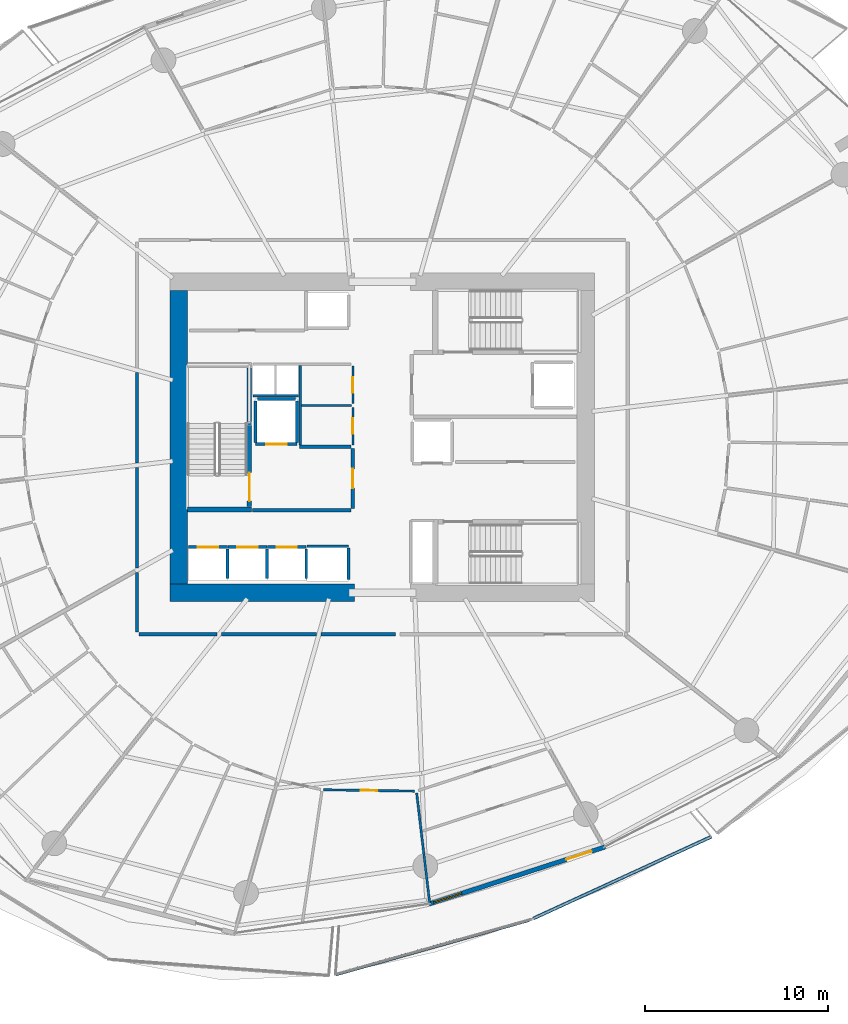
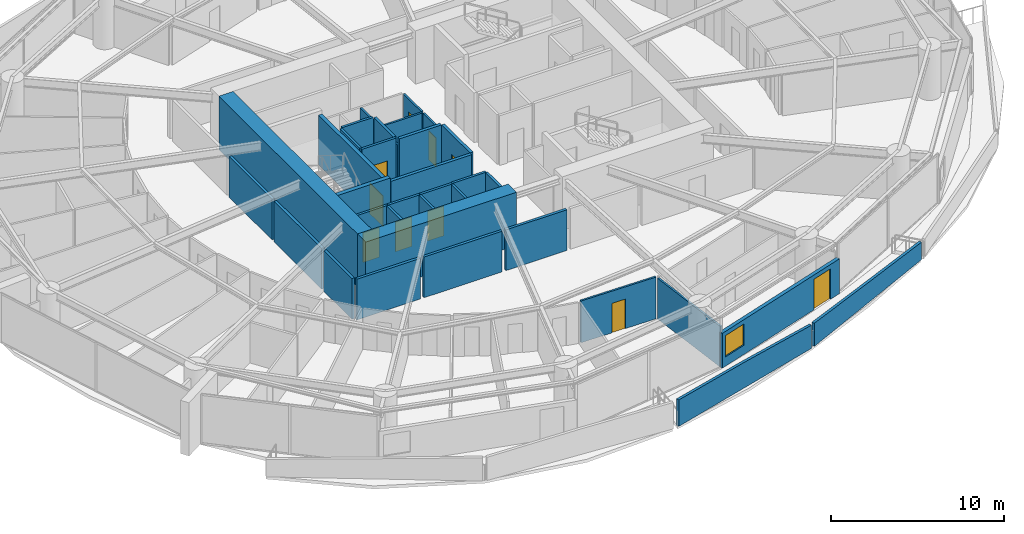
# One storey, part 20 of 31: 35 walls, 10 doors, 1 window, 11 openings.
"""IFC4 building model written with IfcOpenShell, lengths in metres."""

from ifc_helpers import new_model, si_unit, direction, frame, frame_2d, origin, place, context, subcontext, project, spatial, polyline, rectangle, outline, extrude, material, layer, layer_set, type_object, element, fill, save


model = new_model("IFC4")

# Units and contexts
model_context = context("Model", 3, precision=1e-05, world=origin(), true_north=direction((0.0, 1.0)))
body_context = subcontext(model_context, "Body", "Model", "MODEL_VIEW")
ifc_project = project(units=[si_unit("LENGTHUNIT", "METRE"), si_unit("AREAUNIT", "SQUARE_METRE"), si_unit("VOLUMEUNIT", "CUBIC_METRE"), si_unit("PLANEANGLEUNIT", "RADIAN"), si_unit("MASSUNIT", "GRAM", prefix="KILO")], contexts=[model_context])

# Site, building, storey
site_placement = place(None, origin())
site = spatial("IfcSite", under=ifc_project, at=site_placement, CompositionType="ELEMENT")
building_placement = place(site_placement, origin())
building = spatial("IfcBuilding", under=site, at=building_placement, Name="Kazma Halo Residences", CompositionType="ELEMENT")
storey_placement = place(building_placement, frame((0.0, 0.0, 48.89990234375)))
storey = spatial("IfcBuildingStorey", under=building, at=storey_placement, Name="L11", CompositionType="ELEMENT", Elevation=48.89990234375)

# Walls
ifc_material_1 = material(Name="White Concrete C50/60 Balustrade", Category="concrete")
ifc_layer_1 = layer(ifc_material_1, 0.179931640625)
ifc_layer_set_1 = layer_set([ifc_layer_1], Name="White Concrete C50/60 Balustrade")
wall_type_1 = type_object("IfcWallType", Name="WL-BAL-WAVE-180", PredefinedType="PARAPET", material=ifc_layer_set_1)
wall_1_placement = place(storey_placement, frame((45.874267578125, 12.701416015625, 0.0), z_axis=(0.0, 0.0, 1.0), x_axis=(0.962607038131, 0.270901624471, 0.0)))
element("IfcWall", 1, at=wall_1_placement, inside=storey, type_object=wall_type_1, Name="L11 white wave balustrade wall SSE.1", PredefinedType="PARAPET", context=body_context, shape_type="SweptSolid", body=[
    extrude(outline(polyline([(0.0, 0.0), (10.964111328125, 0.0), (10.96435546875, 1.632080078125), (5.482177734375, 1.798095703125), (0.0, 1.860107421875), (0.0, 0.0)])), frame((0.0, 0.08984375, 0.0), z_axis=(0.0, -1.0, 0.0), x_axis=(1.0, 0.0, 0.0)), (0.0, 0.0, 1.0), 0.179931640625),
])
wall_2_placement = place(storey_placement, frame((56.653076171875, 15.75439453125, 0.0), z_axis=(0.0, 0.0, 1.0), x_axis=(0.908702116292, 0.417445162681, 0.0)))
element("IfcWall", 2, at=wall_2_placement, inside=storey, type_object=wall_type_1, Name="L11 white wave balustrade wall SSE.2", PredefinedType="PARAPET", context=body_context, shape_type="SweptSolid", body=[
    extrude(outline(polyline([(0.0, 0.0), (10.69677734375, 0.0), (10.697021484375, 1.233154296875), (5.348388671875, 1.418212890625), (0.0, 1.632080078125), (0.0, 0.0)])), frame((0.0, 0.08984375, 0.0), z_axis=(0.0, -1.0, 0.0), x_axis=(1.0, 0.0, 0.0)), (0.0, 0.0, 1.0), 0.179931640625),
])
ifc_material_2 = material(Name="Concrete C80/95", Category="concrete")
ifc_layer_2 = layer(ifc_material_2, 0.949951171875)
ifc_layer_set_2 = layer_set([ifc_layer_2], Name="Concrete C80/95")
wall_type_2 = type_object("IfcWallType", Name="WL-CORE-950", PredefinedType="SHEAR", material=ifc_layer_set_2)
wall_3_placement = place(storey_placement, frame((36.85009765625, 33.52490234375, 0.0), z_axis=(0.0, 0.0, 1.0), x_axis=(1.0, 0.0, 0.0)))
element("IfcWall", 3, at=wall_3_placement, inside=storey, type_object=wall_type_2, Name="L11 central core shear wall SW", PredefinedType="SHEAR", context=body_context, shape_type="SweptSolid", body=[
    extrude(rectangle(XDim=10.0498046875, YDim=0.949951171875, at=frame_2d((5.02490234375, 0.0))), origin(), (0.0, 0.0, 1.0), 3.75),
])
wall_4_placement = place(storey_placement, frame((37.324951171875, 34.0, 0.0), z_axis=(0.0, 0.0, 1.0), x_axis=(0.0, 1.0, 0.0)))
element("IfcWall", 4, at=wall_4_placement, inside=storey, type_object=wall_type_2, Name="L11 central core shear wall W", PredefinedType="SHEAR", context=body_context, shape_type="SweptSolid", body=[
    extrude(rectangle(XDim=16.0, YDim=0.949951171875, at=frame_2d((8.0, 0.0))), origin(), (0.0, 0.0, 1.0), 3.75),
])
ifc_material_3 = material(Name="Concrete C60/75", Category="concrete")
ifc_layer_3 = layer(ifc_material_3, 0.280029296875)
ifc_layer_set_3 = layer_set([ifc_layer_3], Name="Concrete C60/75")
wall_type_3 = type_object("IfcWallType", Name="WL-CORE-ST-280", PredefinedType="SHEAR", material=ifc_layer_set_3)
wall_5_placement = place(storey_placement, frame((37.800048828125, 38.06005859375, 0.0), z_axis=(0.0, 0.0, 1.0), x_axis=(1.0, 0.0, 0.0)))
element("IfcWall", 5, at=wall_5_placement, inside=storey, type_object=wall_type_3, Name="L11 stairwell bearing wall ST01-S", PredefinedType="SHEAR", context=body_context, shape_type="SweptSolid", body=[
    extrude(rectangle(XDim=3.5, YDim=0.280029296875, at=frame_2d((1.75, 0.0))), origin(), (0.0, 0.0, 1.0), 3.75),
])
ifc_material_4 = material(Name="Acoustic Twin-Stud Gypsum")
ifc_layer_4 = layer(ifc_material_4, 0.179931640625)
ifc_layer_set_4 = layer_set([ifc_layer_4], Name="Acoustic Twin-Stud Gypsum")
wall_type_4 = type_object("IfcWallType", Name="WL-DEM-180", PredefinedType="PARTITIONING", material=ifc_layer_set_4)
wall_6_placement = place(storey_placement, frame((35.050048828125, 45.5322265625, 0.0), z_axis=(0.0, 0.0, 1.0), x_axis=(0.0, -1.0, 0.0)))
element("IfcWall", 6, at=wall_6_placement, inside=storey, type_object=wall_type_4, Name="L11 Apartment 1 inner wall 6", PredefinedType="PARTITIONING", context=body_context, shape_type="SweptSolid", body=[
    extrude(rectangle(XDim=4.94482421875, YDim=0.179931640625, at=frame_2d((2.472412109375, 0.0))), origin(), (0.0, 0.0, 1.0), 2.8671875),
])
wall_7_placement = place(storey_placement, frame((35.050048828125, 40.347412109375, 0.0), z_axis=(0.0, 0.0, 1.0), x_axis=(0.0, -1.0, 0.0)))
element("IfcWall", 7, at=wall_7_placement, inside=storey, type_object=wall_type_4, Name="L11 Apartment 1 inner wall 7", PredefinedType="PARTITIONING", context=body_context, shape_type="SweptSolid", body=[
    extrude(rectangle(XDim=5.479736328125, YDim=0.179931640625, at=frame_2d((2.73974609375, 0.0))), origin(), (0.0, 0.0, 1.0), 2.8671875),
])
wall_8_placement = place(storey_placement, frame((35.050048828125, 34.627685546875, 0.0), z_axis=(0.0, 0.0, 1.0), x_axis=(0.0, -1.0, 0.0)))
element("IfcWall", 8, at=wall_8_placement, inside=storey, type_object=wall_type_4, Name="L11 Apartment 2 inner wall 8", PredefinedType="PARTITIONING", context=body_context, shape_type="SweptSolid", body=[
    extrude(rectangle(XDim=3.257568359375, YDim=0.179931640625, at=frame_2d((1.62890625, 0.0))), origin(), (0.0, 0.0, 1.0), 2.8671875),
])
wall_9_placement = place(storey_placement, frame((35.169921875, 31.25, 0.0), z_axis=(0.0, 0.0, 1.0), x_axis=(1.0, 0.0, 0.0)))
element("IfcWall", 9, at=wall_9_placement, inside=storey, type_object=wall_type_4, Name="L11 Apartment 2 inner wall 8", PredefinedType="PARTITIONING", context=body_context, shape_type="SweptSolid", body=[
    extrude(rectangle(XDim=4.235595703125, YDim=0.179931640625, at=frame_2d((2.11767578125, 0.0))), origin(), (0.0, 0.0, 1.0), 2.8671875),
])
wall_10_placement = place(storey_placement, frame((39.6455078125, 31.25, 0.0), z_axis=(0.0, 0.0, 1.0), x_axis=(1.0, 0.0, 0.0)))
element("IfcWall", 10, at=wall_10_placement, inside=storey, type_object=wall_type_4, Name="L11 Apartment 2 inner wall 9", PredefinedType="PARTITIONING", context=body_context, shape_type="SweptSolid", body=[
    extrude(rectangle(XDim=5.20263671875, YDim=0.179931640625, at=frame_2d((2.601318359375, 0.0))), origin(), (0.0, 0.0, 1.0), 2.8671875),
])
wall_11_placement = place(storey_placement, frame((45.088134765625, 31.25, 0.0), z_axis=(0.0, 0.0, 1.0), x_axis=(1.0, 0.0, 0.0)))
element("IfcWall", 11, at=wall_11_placement, inside=storey, type_object=wall_type_4, Name="L11 Apartment 2 inner wall 10", PredefinedType="PARTITIONING", context=body_context, shape_type="SweptSolid", body=[
    extrude(rectangle(XDim=4.064208984375, YDim=0.179931640625, at=frame_2d((2.0322265625, 0.0))), origin(), (0.0, 0.0, 1.0), 2.8671875),
])

# Wall, openings, door, window
ifc_material_5 = material(Name="Insulated Pale-Metal Composite Wall")
ifc_layer_5 = layer(ifc_material_5, 0.239990234375)
ifc_layer_set_5 = layer_set([ifc_layer_5], Name="Insulated Pale-Metal Composite Wall")
wall_type_5 = type_object("IfcWallType", Name="WL-EXT-HOST-240", PredefinedType="SOLIDWALL", material=ifc_layer_set_5)
wall_12_placement = place(storey_placement, frame((50.9638671875, 16.54150390625, 0.0), z_axis=(0.0, 0.0, 1.0), x_axis=(0.951054679225, 0.309022648238, 0.0)))
wall_12 = element("IfcWall", 12, at=wall_12_placement, inside=storey, type_object=wall_type_5, Name="L11 exterior terrace-access wall B12", PredefinedType="SOLIDWALL", context=body_context, shape_type="SweptSolid", body=[
    extrude(rectangle(XDim=10.0966796875, YDim=0.239990234375, at=frame_2d((5.04833984375, 0.0))), origin(), (0.0, 0.0, 1.0), 2.4501953125),
])
opening_1_placement = place(wall_12_placement, frame((7.876708984375, 0.0, 0.0)))
opening_1 = element("IfcOpeningElement", 13, at=opening_1_placement, cuts=wall_12, Name="Opening DTR-1600", PredefinedType="OPENING", context=body_context, shape_type="SweptSolid", body=[
    extrude(rectangle(XDim=1.449951171875, YDim=2.14990234375, at=frame_2d((0.72509765625, 1.074951171875))), frame((0.0, 0.1298828125, 0.0), z_axis=(0.0, -1.0, 0.0), x_axis=(1.0, 0.0, 0.0)), (0.0, 0.0, 1.0), 0.260009765625),
])
opening_2_placement = place(wall_12_placement, frame((0.280029296875, 0.0, 0.64990234375)))
opening_2 = element("IfcOpeningElement", 14, at=opening_2_placement, cuts=wall_12, Name="Opening W-1800", PredefinedType="OPENING", context=body_context, shape_type="SweptSolid", body=[
    extrude(rectangle(XDim=1.60009765625, YDim=1.5, at=frame_2d((0.800048828125, 0.75))), frame((0.0, 0.1298828125, 0.0), z_axis=(0.0, -1.0, 0.0), x_axis=(1.0, 0.0, 0.0)), (0.0, 0.0, 1.0), 0.260009765625),
])
ifc_material_6 = material(Name="Aluminium AW-6063 T6 Double-Glazed Terrace Door", Category="aluminium")
door_type_1 = type_object("IfcDoorType", Name="DR-EXT-TERR-1600", OperationType="NOTDEFINED", PredefinedType="DOOR", material=ifc_material_6)
door_1_placement = place(opening_1_placement, origin())
door_1 = element("IfcDoor", 15, at=door_1_placement, inside=storey, type_object=door_type_1, Name="L11 B12 balcony terrace door", OperationType="DOUBLE_DOOR_SLIDING", OverallHeight=2.14990234375, OverallWidth=1.449951171875, PredefinedType="DOOR", context=body_context, shape_type="SweptSolid", body=[
    extrude(rectangle(XDim=1.449951171875, YDim=2.14990234375, at=frame_2d((0.72509765625, 1.074951171875))), frame((0.0, 0.02490234375, 0.0), z_axis=(0.0, -1.0, 0.0), x_axis=(1.0, 0.0, 0.0)), (0.0, 0.0, 1.0), 0.050048828125),
])
fill(opening_1, door_1)
ifc_material_7 = material(Name="Clear Triple-Silver Low-E Glass in Aluminium AW-6063 T6 Frame", Category="aluminium")
window_type = type_object("IfcWindowType", Name="WIN-RES-1800", PartitioningType="DOUBLE_PANEL_VERTICAL", PredefinedType="WINDOW", material=ifc_material_7)
window_placement = place(opening_2_placement, origin())
window = element("IfcWindow", 16, at=window_placement, inside=storey, type_object=window_type, Name="L11 B12 apartment window", OverallHeight=1.5, OverallWidth=1.60009765625, PartitioningType="SINGLE_PANEL", PredefinedType="WINDOW", context=body_context, shape_type="SweptSolid", body=[
    extrude(rectangle(XDim=1.60009765625, YDim=1.5, at=frame_2d((0.800048828125, 0.75))), frame((0.0, 0.030029296875, 0.0), z_axis=(0.0, -1.0, 0.0), x_axis=(1.0, 0.0, 0.0)), (0.0, 0.0, 1.0), 0.06005859375),
])
fill(opening_2, window)

# Wall, opening, door
ifc_material_8 = material(Name="Fire-Rated Blockwork Masonry", Category="masonry")
ifc_layer_6 = layer(ifc_material_8, 0.199951171875)
ifc_layer_set_6 = layer_set([ifc_layer_6], Name="Fire-Rated Blockwork Masonry")
wall_type_6 = type_object("IfcWallType", Name="WL-FLB-200", PredefinedType="PARTITIONING", material=ifc_layer_set_6)
wall_13_placement = place(storey_placement, frame((37.864990234375, 36.0048828125, 0.0), z_axis=(0.0, 0.0, 1.0), x_axis=(1.0, 0.0, 0.0)))
wall_13 = element("IfcWall", 17, at=wall_13_placement, inside=storey, type_object=wall_type_6, Name="L11 lift shaft PL-01 front wall", PredefinedType="PARTITIONING", context=body_context, shape_type="SweptSolid", body=[
    extrude(rectangle(XDim=2.110107421875, YDim=0.159912109375, at=frame_2d((1.05517578125, 0.0))), origin(), (0.0, 0.0, 1.0), 3.5),
])
opening_3_placement = place(wall_13_placement, frame((0.5048828125, 0.0, 0.0)))
opening_3 = element("IfcOpeningElement", 18, at=opening_3_placement, cuts=wall_13, Name="Opening LD-PL-01", PredefinedType="OPENING", context=body_context, shape_type="SweptSolid", body=[
    extrude(rectangle(XDim=1.10009765625, YDim=2.10009765625, at=frame_2d((0.550048828125, 1.050048828125))), frame((0.0, 0.08984375, 0.0), z_axis=(0.0, -1.0, 0.0), x_axis=(1.0, 0.0, 0.0)), (0.0, 0.0, 1.0), 0.179931640625),
])
ifc_material_9 = material(Name="Stainless Steel Fire-Rated", Category="steel")
door_type_2 = type_object("IfcDoorType", Name="DR-LIFT-SLD-1100", OperationType="DOUBLE_DOOR_SLIDING", PredefinedType="DOOR", material=ifc_material_9)
door_2_placement = place(opening_3_placement, origin())
door_2 = element("IfcDoor", 19, at=door_2_placement, inside=storey, type_object=door_type_2, Name="L11 lift PL-01 sliding landing door", OperationType="DOUBLE_DOOR_SLIDING", OverallHeight=2.10009765625, OverallWidth=1.10009765625, PredefinedType="DOOR", context=body_context, shape_type="SweptSolid", body=[
    extrude(rectangle(XDim=1.10009765625, YDim=2.10009765625, at=frame_2d((0.550048828125, 1.050048828125))), frame((0.0, 0.02490234375, 0.0), z_axis=(0.0, -1.0, 0.0), x_axis=(1.0, 0.0, 0.0)), (0.0, 0.0, 1.0), 0.050048828125),
])
fill(opening_3, door_2)

# Wall
wall_14_placement = place(storey_placement, frame((39.97509765625, 34.294921875, 0.0), z_axis=(0.0, 0.0, 1.0), x_axis=(0.0, 1.0, 0.0)))
element("IfcWall", 20, at=wall_14_placement, inside=storey, type_object=wall_type_6, Name="L11 lift shaft PL-01 side wall E", PredefinedType="PARTITIONING", context=body_context, shape_type="SweptSolid", body=[
    extrude(rectangle(XDim=1.610107421875, YDim=0.159912109375, at=frame_2d((0.80517578125, 0.0))), origin(), (0.0, 0.0, 1.0), 3.5),
])

# Wall, opening, door
wall_15_placement = place(storey_placement, frame((40.014892578125, 36.0048828125, 0.0), z_axis=(0.0, 0.0, 1.0), x_axis=(1.0, 0.0, 0.0)))
wall_15 = element("IfcWall", 21, at=wall_15_placement, inside=storey, type_object=wall_type_6, Name="L11 lift shaft PL-02 front wall", PredefinedType="PARTITIONING", context=body_context, shape_type="SweptSolid", body=[
    extrude(rectangle(XDim=2.110107421875, YDim=0.159912109375, at=frame_2d((1.05517578125, 0.0))), origin(), (0.0, 0.0, 1.0), 3.5),
])
opening_4_placement = place(wall_15_placement, frame((0.5048828125, 0.0, 0.0)))
opening_4 = element("IfcOpeningElement", 22, at=opening_4_placement, cuts=wall_15, Name="Opening LD-PL-02", PredefinedType="OPENING", context=body_context, shape_type="SweptSolid", body=[
    extrude(rectangle(XDim=1.10009765625, YDim=2.10009765625, at=frame_2d((0.550048828125, 1.050048828125))), frame((0.0, 0.08984375, 0.0), z_axis=(0.0, -1.0, 0.0), x_axis=(1.0, 0.0, 0.0)), (0.0, 0.0, 1.0), 0.179931640625),
])
door_3_placement = place(opening_4_placement, origin())
door_3 = element("IfcDoor", 23, at=door_3_placement, inside=storey, type_object=door_type_2, Name="L11 lift PL-02 sliding landing door", OperationType="DOUBLE_DOOR_SLIDING", OverallHeight=2.10009765625, OverallWidth=1.10009765625, PredefinedType="DOOR", context=body_context, shape_type="SweptSolid", body=[
    extrude(rectangle(XDim=1.10009765625, YDim=2.10009765625, at=frame_2d((0.550048828125, 1.050048828125))), frame((0.0, 0.02490234375, 0.0), z_axis=(0.0, -1.0, 0.0), x_axis=(1.0, 0.0, 0.0)), (0.0, 0.0, 1.0), 0.050048828125),
])
fill(opening_4, door_3)

# Wall
wall_16_placement = place(storey_placement, frame((42.125, 34.294921875, 0.0), z_axis=(0.0, 0.0, 1.0), x_axis=(0.0, 1.0, 0.0)))
element("IfcWall", 24, at=wall_16_placement, inside=storey, type_object=wall_type_6, Name="L11 lift shaft PL-02 side wall E", PredefinedType="PARTITIONING", context=body_context, shape_type="SweptSolid", body=[
    extrude(rectangle(XDim=1.610107421875, YDim=0.159912109375, at=frame_2d((0.80517578125, 0.0))), origin(), (0.0, 0.0, 1.0), 3.5),
])

# Wall, opening, door
wall_17_placement = place(storey_placement, frame((42.1650390625, 36.0048828125, 0.0), z_axis=(0.0, 0.0, 1.0), x_axis=(1.0, 0.0, 0.0)))
wall_17 = element("IfcWall", 25, at=wall_17_placement, inside=storey, type_object=wall_type_6, Name="L11 lift shaft PL-03 front wall", PredefinedType="PARTITIONING", context=body_context, shape_type="SweptSolid", body=[
    extrude(rectangle(XDim=2.10986328125, YDim=0.159912109375, at=frame_2d((1.054931640625, 0.0))), origin(), (0.0, 0.0, 1.0), 3.5),
])
opening_5_placement = place(wall_17_placement, frame((0.5048828125, 0.0, 0.0)))
opening_5 = element("IfcOpeningElement", 26, at=opening_5_placement, cuts=wall_17, Name="Opening LD-PL-03", PredefinedType="OPENING", context=body_context, shape_type="SweptSolid", body=[
    extrude(rectangle(XDim=1.10009765625, YDim=2.10009765625, at=frame_2d((0.550048828125, 1.050048828125))), frame((0.0, 0.08984375, 0.0), z_axis=(0.0, -1.0, 0.0), x_axis=(1.0, 0.0, 0.0)), (0.0, 0.0, 1.0), 0.179931640625),
])
door_4_placement = place(opening_5_placement, origin())
door_4 = element("IfcDoor", 27, at=door_4_placement, inside=storey, type_object=door_type_2, Name="L11 lift PL-03 sliding landing door", OperationType="DOUBLE_DOOR_SLIDING", OverallHeight=2.10009765625, OverallWidth=1.10009765625, PredefinedType="DOOR", context=body_context, shape_type="SweptSolid", body=[
    extrude(rectangle(XDim=1.10009765625, YDim=2.10009765625, at=frame_2d((0.550048828125, 1.050048828125))), frame((0.0, 0.02490234375, 0.0), z_axis=(0.0, -1.0, 0.0), x_axis=(1.0, 0.0, 0.0)), (0.0, 0.0, 1.0), 0.050048828125),
])
fill(opening_5, door_4)

# Walls
wall_18_placement = place(storey_placement, frame((44.27490234375, 34.294921875, 0.0), z_axis=(0.0, 0.0, 1.0), x_axis=(0.0, 1.0, 0.0)))
element("IfcWall", 28, at=wall_18_placement, inside=storey, type_object=wall_type_6, Name="L11 lift shaft PL-03 side wall E", PredefinedType="PARTITIONING", context=body_context, shape_type="SweptSolid", body=[
    extrude(rectangle(XDim=1.610107421875, YDim=0.159912109375, at=frame_2d((0.80517578125, 0.0))), origin(), (0.0, 0.0, 1.0), 3.5),
])
wall_19_placement = place(storey_placement, frame((44.320068359375, 36.054931640625, 0.0), z_axis=(0.0, 0.0, 1.0), x_axis=(1.0, 0.0, 0.0)))
element("IfcWall", 29, at=wall_19_placement, inside=storey, type_object=wall_type_6, Name="L11 lift shaft PX-02 front wall", PredefinedType="PARTITIONING", context=body_context, shape_type="SweptSolid", body=[
    extrude(rectangle(XDim=2.260009765625, YDim=0.159912109375, at=frame_2d((1.1298828125, 0.0))), origin(), (0.0, 0.0, 1.0), 3.5),
])
wall_20_placement = place(storey_placement, frame((46.580078125, 34.2451171875, 0.0), z_axis=(0.0, 0.0, 1.0), x_axis=(0.0, 1.0, 0.0)))
element("IfcWall", 30, at=wall_20_placement, inside=storey, type_object=wall_type_6, Name="L11 lift shaft PX-02 side wall E", PredefinedType="PARTITIONING", context=body_context, shape_type="SweptSolid", body=[
    extrude(rectangle(XDim=1.7099609375, YDim=0.159912109375, at=frame_2d((0.85498046875, 0.0))), origin(), (0.0, 0.0, 1.0), 3.5),
])

# Wall, opening, door
wall_21_placement = place(storey_placement, frame((43.780029296875, 41.6201171875, 0.0), z_axis=(0.0, 0.0, 1.0), x_axis=(-1.0, 0.0, 0.0)))
wall_21 = element("IfcWall", 31, at=wall_21_placement, inside=storey, type_object=wall_type_6, Name="L11 lift shaft FL-01 front wall", PredefinedType="PARTITIONING", context=body_context, shape_type="SweptSolid", body=[
    extrude(rectangle(XDim=2.260009765625, YDim=0.159912109375, at=frame_2d((1.1298828125, 0.0))), origin(), (0.0, 0.0, 1.0), 3.5),
])
opening_6_placement = place(wall_21_placement, frame((0.580078125, 0.0, 0.0)))
opening_6 = element("IfcOpeningElement", 32, at=opening_6_placement, cuts=wall_21, Name="Opening LD-FL-01", PredefinedType="OPENING", context=body_context, shape_type="SweptSolid", body=[
    extrude(rectangle(XDim=1.10009765625, YDim=2.10009765625, at=frame_2d((0.550048828125, 1.050048828125))), frame((0.0, 0.08984375, 0.0), z_axis=(0.0, -1.0, 0.0), x_axis=(1.0, 0.0, 0.0)), (0.0, 0.0, 1.0), 0.179931640625),
])
door_5_placement = place(opening_6_placement, origin())
door_5 = element("IfcDoor", 33, at=door_5_placement, inside=storey, type_object=door_type_2, Name="L11 lift FL-01 sliding landing door", OperationType="DOUBLE_DOOR_SLIDING", OverallHeight=2.10009765625, OverallWidth=1.10009765625, PredefinedType="DOOR", context=body_context, shape_type="SweptSolid", body=[
    extrude(rectangle(XDim=1.10009765625, YDim=2.10009765625, at=frame_2d((0.550048828125, 1.050048828125))), frame((0.0, 0.02490234375, 0.0), z_axis=(0.0, -1.0, 0.0), x_axis=(1.0, 0.0, 0.0)), (0.0, 0.0, 1.0), 0.050048828125),
])
fill(opening_6, door_5)

# Walls
for number, where, z_axis, x_axis, name in (
    (34, (43.780029296875, 41.719970703125, 0.0), (0.0, 0.0, 1.0), (0.0, 1.0, 0.0), "L11 lift shaft FL-01 side wall E"),
    (35, (41.52001953125, 41.719970703125, 0.0), (0.0, 0.0, 1.0), (0.0, 1.0, 0.0), "L11 lift shaft FL-01 side wall W"),
):
    element("IfcWall", number, at=place(storey_placement, frame(where, z_axis=z_axis, x_axis=x_axis)), inside=storey, type_object=wall_type_6, Name=name, PredefinedType="PARTITIONING", context=body_context, shape_type="SweptSolid", body=[
        extrude(rectangle(XDim=2.260009765625, YDim=0.159912109375, at=frame_2d((1.1298828125, 0.0))), origin(), (0.0, 0.0, 1.0), 3.5),
    ])
wall_22_placement = place(storey_placement, frame((41.6201171875, 44.080078125, 0.0), z_axis=(0.0, 0.0, 1.0), x_axis=(1.0, 0.0, 0.0)))
element("IfcWall", 36, at=wall_22_placement, inside=storey, type_object=wall_type_6, Name="L11 lift shaft FL-01 side wall N", PredefinedType="PARTITIONING", context=body_context, shape_type="SweptSolid", body=[
    extrude(rectangle(XDim=2.059814453125, YDim=0.159912109375, at=frame_2d((1.02978515625, 0.0))), origin(), (0.0, 0.0, 1.0), 3.5),
])
wall_23_placement = place(storey_placement, frame((41.35009765625, 38.02001953125, 0.0), z_axis=(0.0, 0.0, 1.0), x_axis=(1.0, 0.0, 0.0)))
element("IfcWall", 37, at=wall_23_placement, inside=storey, type_object=wall_type_6, Name="L11 west firefighting lobby south smoke wall", PredefinedType="PARTITIONING", context=body_context, shape_type="SweptSolid", body=[
    extrude(rectangle(XDim=5.369873046875, YDim=0.199951171875, at=frame_2d((2.68505859375, 0.0))), origin(), (0.0, 0.0, 1.0), 3.5),
])
wall_24_placement = place(storey_placement, frame((43.919921875, 41.47998046875, 0.0), z_axis=(0.0, 0.0, 1.0), x_axis=(1.0, 0.0, 0.0)))
element("IfcWall", 38, at=wall_24_placement, inside=storey, type_object=wall_type_6, Name="L11 west firefighting lobby north smoke wall", PredefinedType="PARTITIONING", context=body_context, shape_type="SweptSolid", body=[
    extrude(rectangle(XDim=2.800048828125, YDim=0.199951171875, at=frame_2d((1.39990234375, 0.0))), origin(), (0.0, 0.0, 1.0), 3.5),
])

# Wall, opening, door
wall_25_placement = place(storey_placement, frame((46.820068359375, 38.1201171875, 0.0), z_axis=(0.0, 0.0, 1.0), x_axis=(0.0, 1.0, 0.0)))
wall_25 = element("IfcWall", 39, at=wall_25_placement, inside=storey, type_object=wall_type_6, Name="L11 west firefighting lobby smoke wall", PredefinedType="PARTITIONING", context=body_context, shape_type="SweptSolid", body=[
    extrude(rectangle(XDim=3.259765625, YDim=0.199951171875, at=frame_2d((1.6298828125, 0.0))), origin(), (0.0, 0.0, 1.0), 3.5),
])
opening_7_placement = place(wall_25_placement, frame((1.10498046875, 0.0, 0.0)))
opening_7 = element("IfcOpeningElement", 40, at=opening_7_placement, cuts=wall_25, Name="Opening D-FLW", PredefinedType="OPENING", context=body_context, shape_type="SweptSolid", body=[
    extrude(rectangle(XDim=1.050048828125, YDim=2.10009765625, at=frame_2d((0.52490234375, 1.050048828125))), frame((0.0, 0.10986328125, 0.0), z_axis=(0.0, -1.0, 0.0), x_axis=(1.0, 0.0, 0.0)), (0.0, 0.0, 1.0), 0.219970703125),
])
ifc_material_10 = material(Name="Fire-Rated Steel Leaf", Category="steel")
door_type_3 = type_object("IfcDoorType", Name="DR-FD90-1050", OperationType="NOTDEFINED", PredefinedType="DOOR", material=ifc_material_10)
door_6_placement = place(opening_7_placement, origin())
door_6 = element("IfcDoor", 41, at=door_6_placement, inside=storey, type_object=door_type_3, Name="L11 west firefighting lobby smoke door", OperationType="SINGLE_SWING_RIGHT", OverallHeight=2.10009765625, OverallWidth=1.050048828125, PredefinedType="DOOR", context=body_context, shape_type="SweptSolid", body=[
    extrude(rectangle(XDim=1.050048828125, YDim=2.10009765625, at=frame_2d((0.52490234375, 1.050048828125))), frame((0.0, 0.02490234375, 0.0), z_axis=(0.0, -1.0, 0.0), x_axis=(1.0, 0.0, 0.0)), (0.0, 0.0, 1.0), 0.050048828125),
])
fill(opening_7, door_6)

# Walls
ifc_material_11 = material(Name="Gypsum Plasterboard Partition")
ifc_layer_7 = layer(ifc_material_11, 0.125)
ifc_layer_set_7 = layer_set([ifc_layer_7], Name="Gypsum Plasterboard Partition")
wall_type_7 = type_object("IfcWallType", Name="WL-PART-125", PredefinedType="PARTITIONING", material=ifc_layer_set_7)
wall_26_placement = place(storey_placement, frame((41.360107421875, 44.260009765625, 0.0), z_axis=(0.0, 0.0, 1.0), x_axis=(1.0, 0.0, 0.0)))
element("IfcWall", 42, at=wall_26_placement, inside=storey, type_object=wall_type_7, Name="L11 core riser south wall", PredefinedType="PARTITIONING", context=body_context, shape_type="SweptSolid", body=[
    extrude(rectangle(XDim=2.5, YDim=0.125, at=frame_2d((1.25, 0.0))), origin(), (0.0, 0.0, 1.0), 2.940185546875),
])
wall_27_placement = place(storey_placement, frame((43.949951171875, 41.580078125, 0.0), z_axis=(0.0, 0.0, 1.0), x_axis=(0.0, 1.0, 0.0)))
element("IfcWall", 43, at=wall_27_placement, inside=storey, type_object=wall_type_7, Name="L11 core service west wall", PredefinedType="PARTITIONING", context=body_context, shape_type="SweptSolid", body=[
    extrude(rectangle(XDim=4.31982421875, YDim=0.125, at=frame_2d((2.159912109375, 0.0))), origin(), (0.0, 0.0, 1.0), 2.940185546875),
])
wall_28_placement = place(storey_placement, frame((44.030029296875, 43.72998046875, 0.0), z_axis=(0.0, 0.0, 1.0), x_axis=(1.0, 0.0, 0.0)))
element("IfcWall", 44, at=wall_28_placement, inside=storey, type_object=wall_type_7, Name="L11 switch/IDF divider", PredefinedType="PARTITIONING", context=body_context, shape_type="SweptSolid", body=[
    extrude(rectangle(XDim=2.7099609375, YDim=0.125, at=frame_2d((1.35498046875, 0.0))), origin(), (0.0, 0.0, 1.0), 2.940185546875),
])

# Wall, opening, door
wall_29_placement = place(storey_placement, frame((46.820068359375, 41.580078125, 0.0), z_axis=(0.0, 0.0, 1.0), x_axis=(0.0, 1.0, 0.0)))
wall_29 = element("IfcWall", 45, at=wall_29_placement, inside=storey, type_object=wall_type_7, Name="L11 electrical switch room east wall", PredefinedType="PARTITIONING", context=body_context, shape_type="SweptSolid", body=[
    extrude(rectangle(XDim=2.0498046875, YDim=0.125, at=frame_2d((1.02490234375, 0.0))), origin(), (0.0, 0.0, 1.0), 2.940185546875),
])
opening_8_placement = place(wall_29_placement, frame((0.60009765625, 0.0, 0.0)))
opening_8 = element("IfcOpeningElement", 46, at=opening_8_placement, cuts=wall_29, Name="Opening DS-850", PredefinedType="OPENING", context=body_context, shape_type="SweptSolid", body=[
    extrude(rectangle(XDim=0.85009765625, YDim=2.06005859375, at=frame_2d((0.425048828125, 1.030029296875))), frame((0.0, 0.072509765625, 0.0), z_axis=(0.0, -1.0, 0.0), x_axis=(1.0, 0.0, 0.0)), (0.0, 0.0, 1.0), 0.14501953125),
])
ifc_material_12 = material(Name="Painted Steel Access Leaf", Category="steel")
door_type_4 = type_object("IfcDoorType", Name="DR-SVC-850", OperationType="NOTDEFINED", PredefinedType="DOOR", material=ifc_material_12)
door_7_placement = place(opening_8_placement, origin())
door_7 = element("IfcDoor", 47, at=door_7_placement, inside=storey, type_object=door_type_4, Name="L11 electrical switch room door", OperationType="SINGLE_SWING_RIGHT", OverallHeight=2.06005859375, OverallWidth=0.85009765625, PredefinedType="DOOR", context=body_context, shape_type="SweptSolid", body=[
    extrude(rectangle(XDim=0.85009765625, YDim=2.06005859375, at=frame_2d((0.425048828125, 1.030029296875))), frame((0.0, 0.02490234375, 0.0), z_axis=(0.0, -1.0, 0.0), x_axis=(1.0, 0.0, 0.0)), (0.0, 0.0, 1.0), 0.050048828125),
])
fill(opening_8, door_7)

wall_30_placement = place(storey_placement, frame((46.820068359375, 43.830078125, 0.0), z_axis=(0.0, 0.0, 1.0), x_axis=(0.0, 1.0, 0.0)))
wall_30 = element("IfcWall", 48, at=wall_30_placement, inside=storey, type_object=wall_type_7, Name="L11 telecom IDF room east wall", PredefinedType="PARTITIONING", context=body_context, shape_type="SweptSolid", body=[
    extrude(rectangle(XDim=2.0498046875, YDim=0.125, at=frame_2d((1.02490234375, 0.0))), origin(), (0.0, 0.0, 1.0), 2.940185546875),
])
opening_9_placement = place(wall_30_placement, frame((0.60009765625, 0.0, 0.0)))
opening_9 = element("IfcOpeningElement", 49, at=opening_9_placement, cuts=wall_30, Name="Opening DS-850", PredefinedType="OPENING", context=body_context, shape_type="SweptSolid", body=[
    extrude(rectangle(XDim=0.85009765625, YDim=2.06005859375, at=frame_2d((0.425048828125, 1.030029296875))), frame((0.0, 0.072509765625, 0.0), z_axis=(0.0, -1.0, 0.0), x_axis=(1.0, 0.0, 0.0)), (0.0, 0.0, 1.0), 0.14501953125),
])
door_8_placement = place(opening_9_placement, origin())
door_8 = element("IfcDoor", 50, at=door_8_placement, inside=storey, type_object=door_type_4, Name="L11 telecom IDF room door", OperationType="SINGLE_SWING_LEFT", OverallHeight=2.06005859375, OverallWidth=0.85009765625, PredefinedType="DOOR", context=body_context, shape_type="SweptSolid", body=[
    extrude(rectangle(XDim=0.85009765625, YDim=2.06005859375, at=frame_2d((0.425048828125, 1.030029296875))), frame((0.0, 0.02490234375, 0.0), z_axis=(0.0, -1.0, 0.0), x_axis=(1.0, 0.0, 0.0)), (0.0, 0.0, 1.0), 0.050048828125),
])
fill(opening_9, door_8)

wall_31_placement = place(storey_placement, frame((45.220947265625, 22.7763671875, 0.0), z_axis=(0.0, 0.0, 1.0), x_axis=(0.999888207593, -0.014952334847, 0.0)))
wall_31 = element("IfcWall", 51, at=wall_31_placement, inside=storey, type_object=wall_type_7, Name="L11 Apartment 2 Inner Master Bedroom hall wall", PredefinedType="PARTITIONING", context=body_context, shape_type="SweptSolid", body=[
    extrude(rectangle(XDim=4.963623046875, YDim=0.125, at=frame_2d((2.48193359375, 0.0))), origin(), (0.0, 0.0, 1.0), 2.940185546875),
])
opening_10_placement = place(wall_31_placement, frame((2.031982421875, 0.0, 0.0)))
opening_10 = element("IfcOpeningElement", 52, at=opening_10_placement, cuts=wall_31, Name="Opening DI-950", PredefinedType="OPENING", context=body_context, shape_type="SweptSolid", body=[
    extrude(rectangle(XDim=0.89990234375, YDim=2.080078125, at=frame_2d((0.449951171875, 1.0400390625))), frame((0.0, 0.072509765625, 0.0), z_axis=(0.0, -1.0, 0.0), x_axis=(1.0, 0.0, 0.0)), (0.0, 0.0, 1.0), 0.14501953125),
])
ifc_material_13 = material(Name="Timber Veneer Flush Leaf", Category="wood")
door_type_5 = type_object("IfcDoorType", Name="DR-INT-950", OperationType="NOTDEFINED", PredefinedType="DOOR", material=ifc_material_13)
door_9_placement = place(opening_10_placement, origin())
door_9 = element("IfcDoor", 53, at=door_9_placement, inside=storey, type_object=door_type_5, Name="L11 Apartment 2 Inner Master Bedroom door", OperationType="SINGLE_SWING_LEFT", OverallHeight=2.080078125, OverallWidth=0.89990234375, PredefinedType="DOOR", context=body_context, shape_type="SweptSolid", body=[
    extrude(rectangle(XDim=0.89990234375, YDim=2.080078125, at=frame_2d((0.449951171875, 1.0400390625))), frame((0.0, 0.02490234375, 0.0), z_axis=(0.0, -1.0, 0.0), x_axis=(1.0, 0.0, 0.0)), (0.0, 0.0, 1.0), 0.050048828125),
])
fill(opening_10, door_9)

# Wall
wall_32_placement = place(storey_placement, frame((50.2958984375, 22.601318359375, 0.0), z_axis=(0.0, 0.0, 1.0), x_axis=(0.11752826538, -0.993069537765, 0.0)))
element("IfcWall", 54, at=wall_32_placement, inside=storey, type_object=wall_type_7, Name="L11 Apartment 2 radial partition 11", PredefinedType="PARTITIONING", context=body_context, shape_type="SweptSolid", body=[
    extrude(rectangle(XDim=6.0615234375, YDim=0.125, at=frame_2d((3.03076171875, 0.0))), origin(), (0.0, 0.0, 1.0), 2.8671875),
])

# Wall, opening, door
ifc_material_14 = material(Name="Concrete C50/60", Category="concrete")
ifc_layer_8 = layer(ifc_material_14, 0.25)
ifc_layer_set_8 = layer_set([ifc_layer_8], Name="Concrete C50/60")
wall_type_8 = type_object("IfcWallType", Name="WL-SHF-250", PredefinedType="SOLIDWALL", material=ifc_layer_set_8)
wall_33_placement = place(storey_placement, frame((41.179931640625, 38.219970703125, 0.0), z_axis=(0.0, 0.0, 1.0), x_axis=(0.0, 1.0, 0.0)))
wall_33 = element("IfcWall", 55, at=wall_33_placement, inside=storey, type_object=wall_type_8, Name="L11 exit stair ST-01 enclosure wall", PredefinedType="SOLIDWALL", context=body_context, shape_type="SweptSolid", body=[
    extrude(rectangle(XDim=7.56005859375, YDim=0.25, at=frame_2d((3.780029296875, 0.0))), origin(), (0.0, 0.0, 1.0), 3.5),
])
opening_11_placement = place(wall_33_placement, frame((0.300048828125, 0.0, 0.0)))
opening_11 = element("IfcOpeningElement", 56, at=opening_11_placement, cuts=wall_33, Name="Opening D-ST1", PredefinedType="OPENING", context=body_context, shape_type="SweptSolid", body=[
    extrude(rectangle(XDim=1.550048828125, YDim=2.14990234375, at=frame_2d((0.77490234375, 1.074951171875))), frame((0.0, 0.135009765625, 0.0), z_axis=(0.0, -1.0, 0.0), x_axis=(1.0, 0.0, 0.0)), (0.0, 0.0, 1.0), 0.27001953125),
])
ifc_material_15 = material(Name="Fire-Rated Double Steel Leaf", Category="steel")
door_type_6 = type_object("IfcDoorType", Name="DR-FD90-1550", OperationType="NOTDEFINED", PredefinedType="DOOR", material=ifc_material_15)
door_10_placement = place(opening_11_placement, origin())
door_10 = element("IfcDoor", 57, at=door_10_placement, inside=storey, type_object=door_type_6, Name="L11 exit stair ST-01 fire door", OperationType="DOUBLE_DOOR_SINGLE_SWING", OverallHeight=2.14990234375, OverallWidth=1.550048828125, PredefinedType="DOOR", context=body_context, shape_type="SweptSolid", body=[
    extrude(rectangle(XDim=1.550048828125, YDim=2.14990234375, at=frame_2d((0.77490234375, 1.074951171875))), frame((0.0, 0.02490234375, 0.0), z_axis=(0.0, -1.0, 0.0), x_axis=(1.0, 0.0, 0.0)), (0.0, 0.0, 1.0), 0.050048828125),
])
fill(opening_11, door_10)

save(model, "model.ifc")
